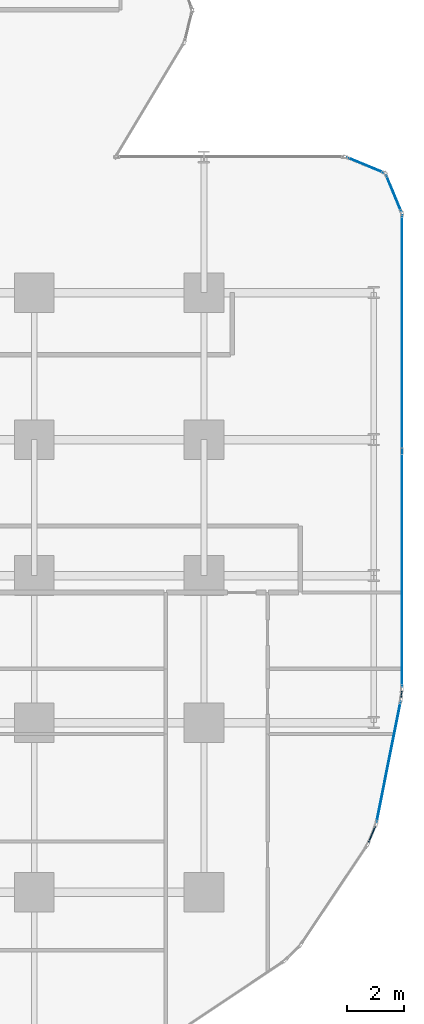
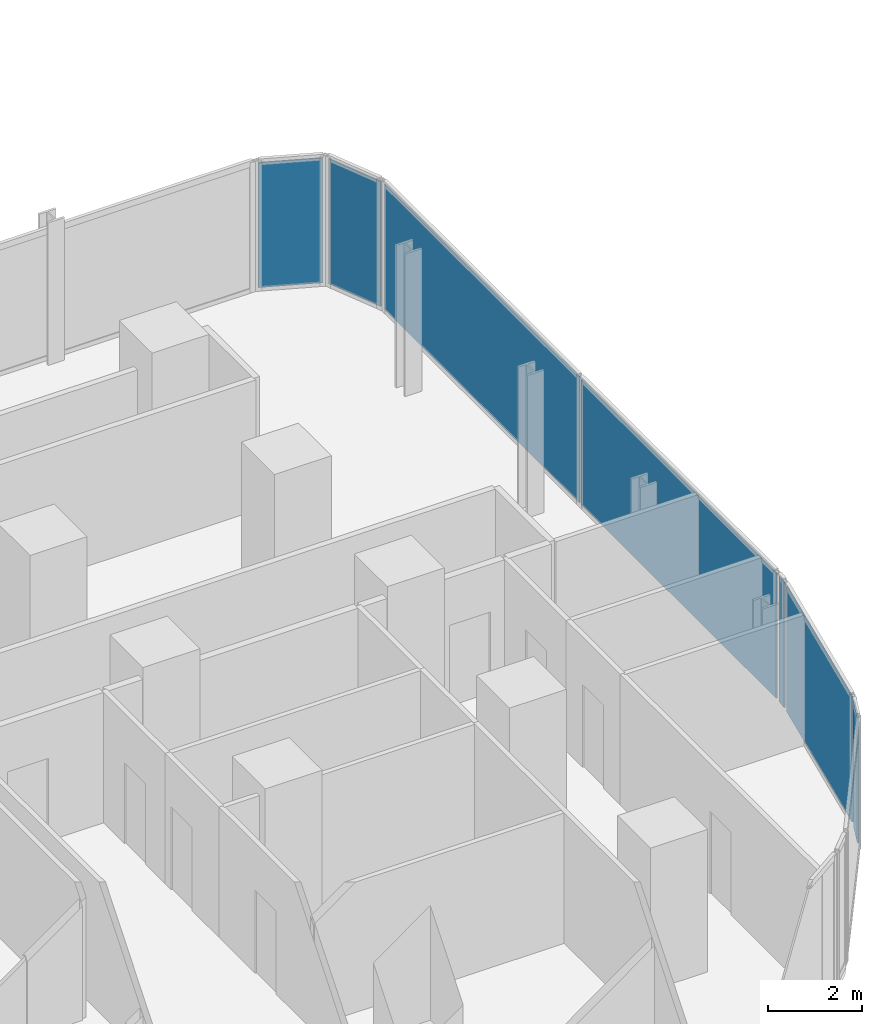
# One storey, part 25 of 33: 7 plates, 6 elements without a shape of their own.
"""IFC4 building model written with IfcOpenShell, lengths in metres."""

from ifc_helpers import new_model, si_unit, direction, frame, origin, origin_2d, place, context, subcontext, project, spatial, rectangle, extrude, material, layer, layer_set, type_object, element, aggregate, save


model = new_model("IFC4")

# Units and contexts
model_context = context("Model", 3, precision=1e-05, world=origin(), true_north=direction((0.0, 1.0)))
body_context = subcontext(model_context, "Body", "Model", "MODEL_VIEW")
ifc_project = project(units=[si_unit("LENGTHUNIT", "METRE"), si_unit("AREAUNIT", "SQUARE_METRE"), si_unit("VOLUMEUNIT", "CUBIC_METRE"), si_unit("PLANEANGLEUNIT", "RADIAN"), si_unit("MASSUNIT", "GRAM", prefix="KILO")], contexts=[model_context])

# Site, building, storey
site_placement = place(None, origin())
site = spatial("IfcSite", under=ifc_project, at=site_placement, CompositionType="ELEMENT")
building_placement = place(site_placement, origin())
building = spatial("IfcBuilding", under=site, at=building_placement, Name="Keshet Zoharim Tower", CompositionType="ELEMENT")
storey_placement = place(building_placement, frame((0.0, 0.0, 49.89990234375)))
storey = spatial("IfcBuildingStorey", under=building, at=storey_placement, Name="L11", CompositionType="ELEMENT", Elevation=49.89990234375)

# Curtain wall, plate
ifc_material_1 = material(Name="Aluminium 6063-T6", Category="aluminium")
ifc_layer_1 = layer(ifc_material_1, 0.179931640625)
ifc_layer_set_1 = layer_set([ifc_layer_1], Name="Aluminium 6063-T6")
curtain_wall_type_1 = type_object("IfcCurtainWallType", Name="CW-SYS-01", PredefinedType="NOTDEFINED", material=ifc_layer_set_1)
curtain_wall_1_placement = place(storey_placement, origin())
curtain_wall_1 = element("IfcCurtainWall", 1, at=curtain_wall_1_placement, inside=storey, type_object=curtain_wall_type_1, Name="L11 Unitised Curtain Wall 19", PredefinedType="NOTDEFINED")
ifc_material_2 = material(Name="Insulated Low-E Clear Glass", Category="glass")
ifc_layer_2 = layer(ifc_material_2, 0.035888671875)
ifc_layer_set_2 = layer_set([ifc_layer_2], Name="Insulated Low-E Clear Glass")
plate_type_1 = type_object("IfcPlateType", Name="CWP-01", PredefinedType="CURTAIN_PANEL", material=ifc_layer_set_2)
plate_1_placement = place(storey_placement, frame((68.9384765625, 8.75439453125, 0.070068359375), z_axis=(0.0, 0.0, 1.0), x_axis=(-0.383068349739, -0.923720000557, 0.0)))
plate_1 = element("IfcPlate", 2, at=plate_1_placement, type_object=plate_type_1, Name="CW-01 panel 1.1", PredefinedType="CURTAIN_PANEL", context=body_context, shape_type="SweptSolid", body=[
    extrude(rectangle(XDim=0.640625, YDim=0.035888671875, at=origin_2d()), origin(), (0.0, 0.0, 1.0), 3.2451171875),
])
aggregate(curtain_wall_1, [plate_1])

ifc_layer_3 = layer(ifc_material_1, 0.169921875)
ifc_layer_set_3 = layer_set([ifc_layer_3], Name="Aluminium 6063-T6")
curtain_wall_type_2 = type_object("IfcCurtainWallType", Name="CW-SYS-02", PredefinedType="NOTDEFINED", material=ifc_layer_set_3)
curtain_wall_2_placement = place(storey_placement, origin())
curtain_wall_2 = element("IfcCurtainWall", 3, at=curtain_wall_2_placement, inside=storey, type_object=curtain_wall_type_2, Name="L11 Unitised Curtain Wall 14", PredefinedType="NOTDEFINED")
ifc_layer_4 = layer(ifc_material_2, 0.031982421875)
ifc_layer_set_4 = layer_set([ifc_layer_4], Name="Insulated Low-E Clear Glass")
plate_type_2 = type_object("IfcPlateType", Name="CWP-02", PredefinedType="CURTAIN_PANEL", material=ifc_layer_set_4)
plate_2_placement = place(storey_placement, frame((68.70703125, 32.406982421875, 0.070068359375), z_axis=(0.0, 0.0, 1.0), x_axis=(0.92380975372, -0.382851849847, 0.0)))
plate_2 = element("IfcPlate", 4, at=plate_2_placement, type_object=plate_type_2, Name="CW-02 panel 1.1", PredefinedType="CURTAIN_PANEL", context=body_context, shape_type="SweptSolid", body=[
    extrude(rectangle(XDim=1.390625, YDim=0.031982421875, at=origin_2d()), origin(), (0.0, 0.0, 1.0), 3.2451171875),
])
aggregate(curtain_wall_2, [plate_2])

curtain_wall_3_placement = place(storey_placement, origin())
curtain_wall_3 = element("IfcCurtainWall", 5, at=curtain_wall_3_placement, inside=storey, type_object=curtain_wall_type_2, Name="L11 Unitised Curtain Wall 15", PredefinedType="NOTDEFINED")
plate_3_placement = place(storey_placement, frame((69.70703125, 31.406982421875, 0.070068359375), z_axis=(0.0, 0.0, 1.0), x_axis=(0.382851849847, -0.92380975372, 0.0)))
plate_3 = element("IfcPlate", 6, at=plate_3_placement, type_object=plate_type_2, Name="CW-02 panel 1.1", PredefinedType="CURTAIN_PANEL", context=body_context, shape_type="SweptSolid", body=[
    extrude(rectangle(XDim=1.390625, YDim=0.031982421875, at=origin_2d()), origin(), (0.0, 0.0, 1.0), 3.2451171875),
])
aggregate(curtain_wall_3, [plate_3])

# Curtain wall, plates
curtain_wall_4_placement = place(storey_placement, origin())
curtain_wall_4 = element("IfcCurtainWall", 7, at=curtain_wall_4_placement, inside=storey, type_object=curtain_wall_type_2, Name="L11 Unitised Curtain Wall 16", PredefinedType="NOTDEFINED")
plate_4_placement = place(storey_placement, frame((70.0, 26.481689453125, 0.070068359375), z_axis=(0.0, 0.0, 1.0), x_axis=(0.0, -1.0, 0.0)))
plate_4 = element("IfcPlate", 8, at=plate_4_placement, type_object=plate_type_2, Name="CW-02 panel 1.1", PredefinedType="CURTAIN_PANEL", context=body_context, shape_type="SweptSolid", body=[
    extrude(rectangle(XDim=8.29638671875, YDim=0.031982421875, at=origin_2d()), origin(), (0.0, 0.0, 1.0), 3.2451171875),
])
plate_5_placement = place(storey_placement, frame((70.0, 18.115234375, 0.070068359375), z_axis=(0.0, 0.0, 1.0), x_axis=(0.0, -1.0, 0.0)))
plate_5 = element("IfcPlate", 9, at=plate_5_placement, type_object=plate_type_2, Name="CW-02 panel 2.1", PredefinedType="CURTAIN_PANEL", context=body_context, shape_type="SweptSolid", body=[
    extrude(rectangle(XDim=8.29638671875, YDim=0.031982421875, at=origin_2d()), origin(), (0.0, 0.0, 1.0), 3.2451171875),
])
aggregate(curtain_wall_4, [plate_4, plate_5])

# Curtain wall, plate
curtain_wall_5_placement = place(storey_placement, origin())
curtain_wall_5 = element("IfcCurtainWall", 10, at=curtain_wall_5_placement, inside=storey, type_object=curtain_wall_type_2, Name="L11 Unitised Curtain Wall 17", PredefinedType="NOTDEFINED")
plate_6_placement = place(storey_placement, frame((69.98095703125, 13.701904296875, 0.070068359375), z_axis=(0.0, 0.0, 1.0), x_axis=(-0.096976648633, -0.995286657009, 0.0)))
plate_6 = element("IfcPlate", 11, at=plate_6_placement, type_object=plate_type_2, Name="CW-02 panel 1.1", PredefinedType="CURTAIN_PANEL", context=body_context, shape_type="SweptSolid", body=[
    extrude(rectangle(XDim=0.251953125, YDim=0.031982421875, at=origin_2d()), origin(), (0.0, 0.0, 1.0), 3.2451171875),
])
aggregate(curtain_wall_5, [plate_6])

curtain_wall_6_placement = place(storey_placement, origin())
curtain_wall_6 = element("IfcCurtainWall", 12, at=curtain_wall_6_placement, inside=storey, type_object=curtain_wall_type_2, Name="L11 Unitised Curtain Wall 18", PredefinedType="NOTDEFINED")
plate_7_placement = place(storey_placement, frame((69.52490234375, 11.31103515625, 0.070068359375), z_axis=(0.0, 0.0, 1.0), x_axis=(-0.195171279072, -0.98076917357, 0.0)))
plate_7 = element("IfcPlate", 13, at=plate_7_placement, type_object=plate_type_2, Name="CW-02 panel 1.1", PredefinedType="CURTAIN_PANEL", context=body_context, shape_type="SweptSolid", body=[
    extrude(rectangle(XDim=4.338134765625, YDim=0.031982421875, at=origin_2d()), origin(), (0.0, 0.0, 1.0), 3.2451171875),
])
aggregate(curtain_wall_6, [plate_7])

save(model, "model.ifc")
